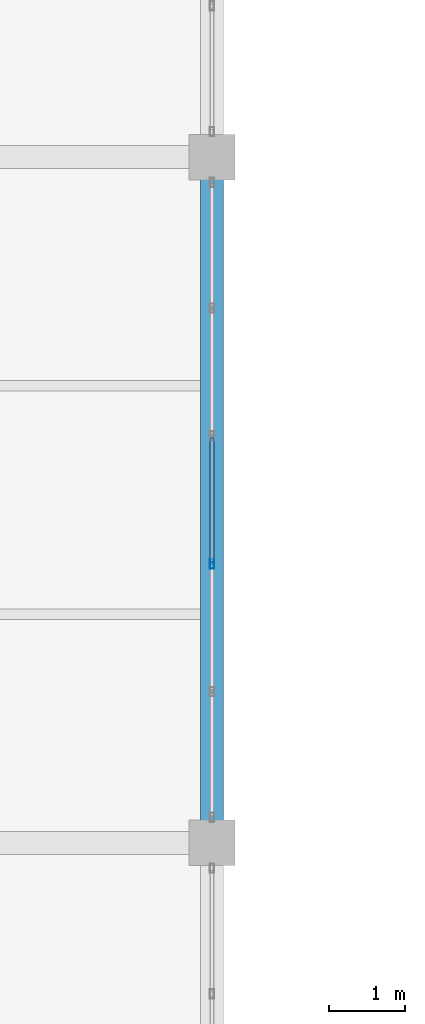
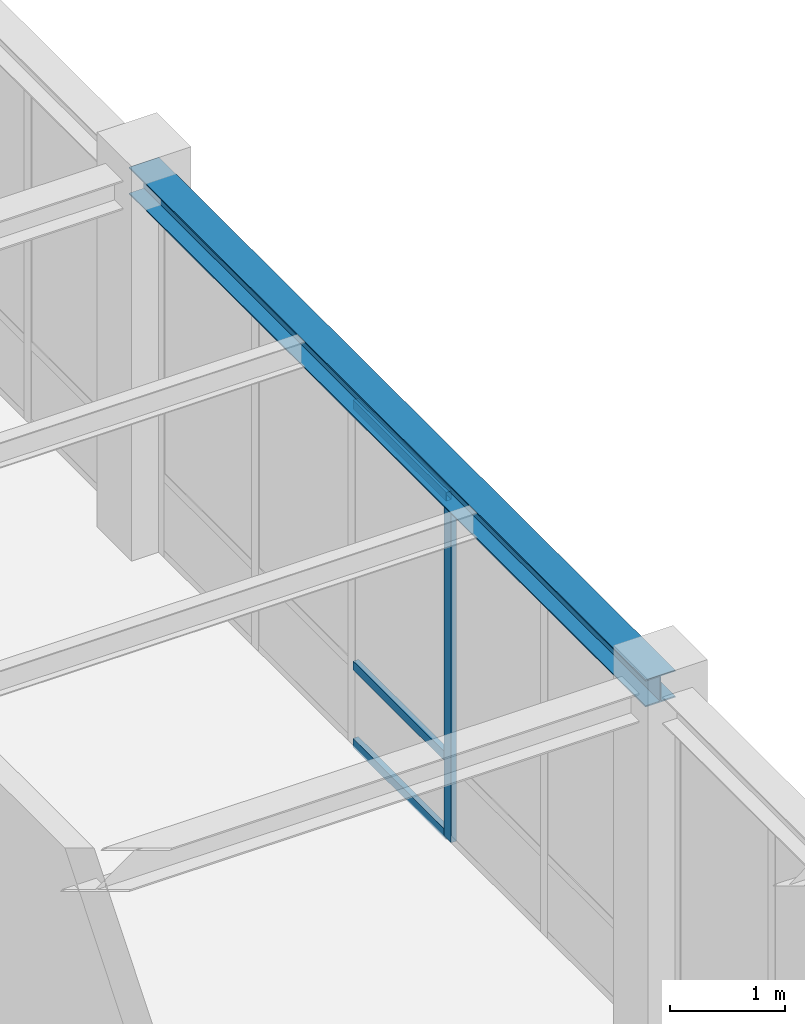
# One storey, part 49 of 130: 4 members, 1 beam, 1 element without a shape of its own.
"""IFC4 building model written with IfcOpenShell, lengths in metres."""

from ifc_helpers import new_model, si_unit, direction, frame, origin, origin_2d, place, context, subcontext, project, spatial, hollow_rectangle, i_section, extrude, material, material_profile, profile_set, type_object, element, aggregate, save


model = new_model("IFC4")

# Units and contexts
model_context = context("Model", 3, precision=1e-05, world=origin(), true_north=direction((0.0, 1.0)))
body_context = subcontext(model_context, "Body", "Model", "MODEL_VIEW")
ifc_project = project(units=[si_unit("LENGTHUNIT", "METRE"), si_unit("AREAUNIT", "SQUARE_METRE"), si_unit("VOLUMEUNIT", "CUBIC_METRE"), si_unit("PLANEANGLEUNIT", "RADIAN"), si_unit("MASSUNIT", "GRAM", prefix="KILO")], contexts=[model_context])

# Site, building, storey
site_placement = place(None, origin())
site = spatial("IfcSite", under=ifc_project, at=site_placement, CompositionType="ELEMENT")
building_placement = place(site_placement, origin())
building = spatial("IfcBuilding", under=site, at=building_placement, Name="Lykobir Media Centre", CompositionType="ELEMENT")
storey_placement = place(building_placement, frame((0.0, 0.0, 19.199951171875)))
storey = spatial("IfcBuildingStorey", under=building, at=storey_placement, Name="L04", CompositionType="ELEMENT", Elevation=19.199951171875)

# Beam
ifc_material_1 = material(Name="Steel S355", Category="steel")
ifc_material_profile_1 = material_profile(ifc_material_1, i_section(OverallWidth=0.300048828125, OverallDepth=0.2900390625, WebThickness=0.008544921875, FlangeThickness=0.013916015625, at=origin_2d()), Name="HEA 300")
ifc_profile_set_1 = profile_set([ifc_material_profile_1], Name="Steel S355")
beam_type = type_object("IfcBeamType", Name="BM-HEA300", PredefinedType="BEAM", material=ifc_profile_set_1)
beam_placement = place(storey_placement, frame((99.0, 27.0, 3.81494140625), z_axis=(0.0, 1.0, 0.0), x_axis=(-1.0, 0.0, 0.0)))
element("IfcBeam", 1, at=beam_placement, inside=storey, type_object=beam_type, Name="Beam BM-L04-0990-0270-0990-0360-2302", PredefinedType="BEAM", context=body_context, shape_type="SweptSolid", body=[
    extrude(i_section(OverallWidth=0.300048828125, OverallDepth=0.2900390625, WebThickness=0.008544921875, FlangeThickness=0.013916015625, at=origin_2d()), origin(), (0.0, 0.0, 1.0), 9.0),
])

# Curtain wall, members
ifc_material_2 = material(Name="Anodized Aluminium AW-6060", Category="aluminium")
curtain_wall_type = type_object("IfcCurtainWallType", Name="CW-COURT-B", PredefinedType="NOTDEFINED", material=ifc_material_2)
curtain_wall_placement = place(storey_placement, origin())
curtain_wall = element("IfcCurtainWall", 2, at=curtain_wall_placement, inside=storey, type_object=curtain_wall_type, Name="Curtain wall CW2-L04-0173", PredefinedType="NOTDEFINED")
ifc_material_profile_2 = material_profile(ifc_material_2, hollow_rectangle(XDim=0.054931640625, YDim=0.1201171875, WallThickness=0.003173828125, at=origin_2d()), Name="ALU MULLION 55x120")
ifc_profile_set_2 = profile_set([ifc_material_profile_2], Name="Anodized Aluminium AW-6060")
member_type_1 = type_object("IfcMemberType", Name="CWM-120", PredefinedType="MULLION", material=ifc_profile_set_2)
member_1_placement = place(storey_placement, frame((99.0, 30.660888671875, 0.0), z_axis=(0.0, 0.0, 1.0), x_axis=(1.0, 0.0, 0.0)))
member_1 = element("IfcMember", 3, at=member_1_placement, type_object=member_type_1, Name="CW2-L04-0173 mullion 4", PredefinedType="MULLION", context=body_context, shape_type="SweptSolid", body=[
    extrude(hollow_rectangle(XDim=0.054931640625, YDim=0.1201171875, WallThickness=0.003173828125, at=origin_2d()), origin(), (0.0, 0.0, 1.0), 3.655029296875),
])
ifc_material_profile_3 = material_profile(ifc_material_2, hollow_rectangle(XDim=0.054931640625, YDim=0.094970703125, WallThickness=0.0029296875, at=origin_2d()), Name="ALU TRANSOM 55x95")
ifc_profile_set_3 = profile_set([ifc_material_profile_3], Name="Anodized Aluminium AW-6060")
member_type_2 = type_object("IfcMemberType", Name="CWT-095", PredefinedType="USERDEFINED", material=ifc_profile_set_3)
member_2_placement = place(storey_placement, frame((99.0, 32.3115234375, 0.027587890625), z_axis=(0.0, -1.0, 0.0), x_axis=(1.0, 0.0, 0.0)))
member_2 = element("IfcMember", 4, at=member_2_placement, type_object=member_type_2, Name="CW2-L04-0173 transom 3.1", ObjectType="TRANSOM", PredefinedType="USERDEFINED", context=body_context, shape_type="SweptSolid", body=[
    extrude(hollow_rectangle(XDim=0.054931640625, YDim=0.094970703125, WallThickness=0.0029296875, at=origin_2d()), origin(), (0.0, 0.0, 1.0), 1.623046875),
])
member_3_placement = place(storey_placement, frame((99.0, 32.3115234375, 0.85009765625), z_axis=(0.0, -1.0, 0.0), x_axis=(1.0, 0.0, 0.0)))
member_3 = element("IfcMember", 5, at=member_3_placement, type_object=member_type_2, Name="CW2-L04-0173 transom 3.2", ObjectType="TRANSOM", PredefinedType="USERDEFINED", context=body_context, shape_type="SweptSolid", body=[
    extrude(hollow_rectangle(XDim=0.054931640625, YDim=0.094970703125, WallThickness=0.0029296875, at=origin_2d()), origin(), (0.0, 0.0, 1.0), 1.623046875),
])
member_4_placement = place(storey_placement, frame((99.0, 32.3115234375, 3.62744140625), z_axis=(0.0, -1.0, 0.0), x_axis=(1.0, 0.0, 0.0)))
member_4 = element("IfcMember", 6, at=member_4_placement, type_object=member_type_2, Name="CW2-L04-0173 transom 3.3", ObjectType="TRANSOM", PredefinedType="USERDEFINED", context=body_context, shape_type="SweptSolid", body=[
    extrude(hollow_rectangle(XDim=0.054931640625, YDim=0.094970703125, WallThickness=0.0029296875, at=origin_2d()), origin(), (0.0, 0.0, 1.0), 1.623046875),
])
aggregate(curtain_wall, [member_1, member_2, member_3, member_4])

save(model, "model.ifc")
